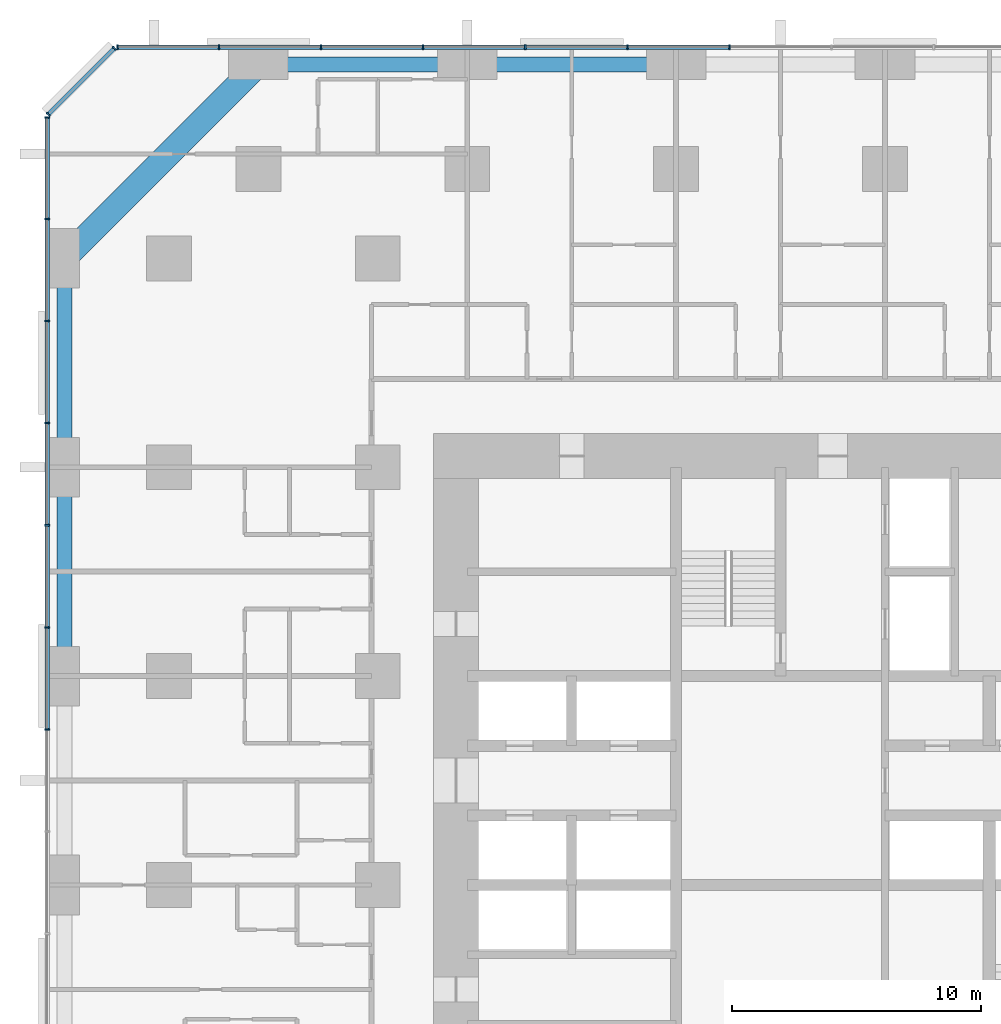
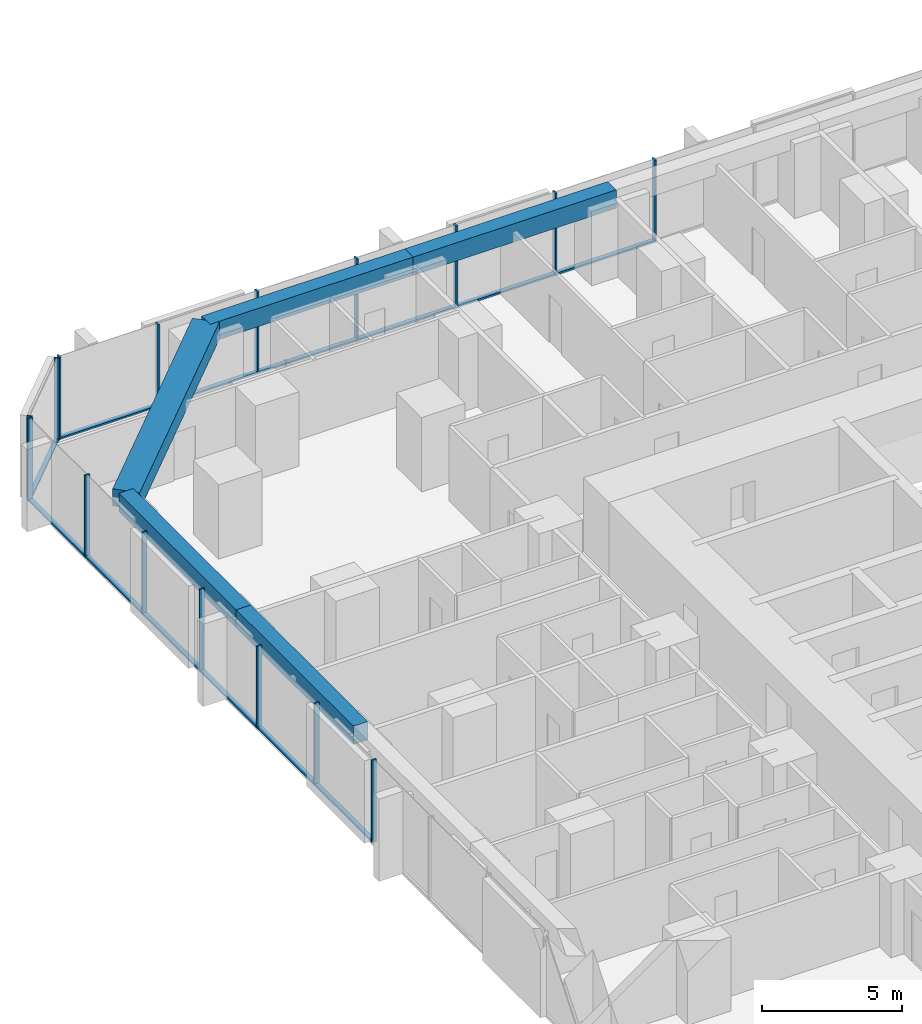
# One storey, part 6 of 17: 29 members, 5 beams, 3 elements without a shape of their own.
"""IFC4 building model written with IfcOpenShell, lengths in metres."""

import ifcopenshell
import ifcopenshell.guid

model = None  # the IFC model being written
_history = None  # IfcOwnerHistory: only IFC2X3 demands one
_inside = {}  # id of a spatial element -> (the spatial element, [elements in it])
_under = {}  # id of a project, library or spatial element -> (it, [spatial elements below it])
_declared = {}  # id of a project -> (the project, [libraries it declares])
_typed = {}  # id of a type object -> (the type object, [elements of that type])
_made_of = {}  # id of a material, layer set ... -> (it, [elements and type objects made of it])


def new_model(schema):
    """Start an empty IFC model of exactly this schema.

    Asked for "IFC4X3", IfcOpenShell would pick the latest addendum, in which some entities
    have other attributes; the version numbers below select the first issue.
    IFC2X3 requires an IfcOwnerHistory on every rooted entity: one is made here for all.
    """
    global model, _history
    if schema == "IFC4X3":
        model = ifcopenshell.file(schema_version=(4, 3, 0, 0))
    else:
        model = ifcopenshell.file(schema=schema)
    _inside.clear()
    _under.clear()
    _declared.clear()
    _typed.clear()
    _made_of.clear()
    _history = None
    if model.schema == "IFC2X3":
        org = make("IfcOrganization", Name="unknown")
        user = make(
            "IfcPersonAndOrganization",
            ThePerson=make("IfcPerson", FamilyName="unknown"),
            TheOrganization=org,
        )
        app = make(
            "IfcApplication",
            ApplicationDeveloper=org,
            Version="unknown",
            ApplicationFullName="unknown",
            ApplicationIdentifier="unknown",
        )
        _history = make(
            "IfcOwnerHistory",
            OwningUser=user,
            OwningApplication=app,
            ChangeAction="ADDED",
            CreationDate=0,
        )
    return model


def make(cls, **values):
    """One entity of the class cls with the attributes given. An attribute that is None is left unset."""
    return model.create_entity(
        cls, **{name: value for name, value in values.items() if value is not None}
    )


def rooted(cls, **values):
    """An entity with a GlobalId (a new one), such as an element, a storey or a relation."""
    return make(cls, GlobalId=ifcopenshell.guid.new(), OwnerHistory=_history, **values)


def si_unit(unit_type, name, prefix=None):
    """IfcSIUnit, for example si_unit("LENGTHUNIT", "METRE", prefix="MILLI")."""
    return make("IfcSIUnit", UnitType=unit_type, Prefix=prefix, Name=name)


def assignment(units):
    """IfcUnitAssignment: the units of a project."""
    return None if units is None else make("IfcUnitAssignment", Units=units)


def point(xyz):
    """IfcCartesianPoint."""
    return None if xyz is None else make("IfcCartesianPoint", Coordinates=xyz)


def direction(xyz):
    """IfcDirection."""
    return None if xyz is None else make("IfcDirection", DirectionRatios=xyz)


def frame(location, z_axis=None, x_axis=None):
    """IfcAxis2Placement3D, a coordinate frame: its origin and axes. An axis left out is left unset."""
    return make(
        "IfcAxis2Placement3D",
        Location=point(location),
        Axis=direction(z_axis),
        RefDirection=direction(x_axis),
    )


def frame_2d(location, x_axis=None):
    """IfcAxis2Placement2D, a coordinate frame in the plane: its origin and x axis."""
    return make(
        "IfcAxis2Placement2D", Location=point(location), RefDirection=direction(x_axis)
    )


def origin():
    """The frame at (0, 0, 0) with its axes left unset."""
    return frame((0.0, 0.0, 0.0))


def origin_2d():
    """The frame at (0, 0) in the plane with its x axis left unset."""
    return frame_2d((0.0, 0.0))


def place(relative_to, where):
    """IfcLocalPlacement: puts the frame where relative to a parent placement (None: the world)."""
    return make(
        "IfcLocalPlacement", PlacementRelTo=relative_to, RelativePlacement=where
    )


def context(
    kind, dimensions, precision=None, world=None, true_north=None, identifier=None
):
    """IfcGeometricRepresentationContext, for example the 3D "Model" context."""
    return make(
        "IfcGeometricRepresentationContext",
        ContextIdentifier=identifier,
        ContextType=kind,
        CoordinateSpaceDimension=dimensions,
        Precision=precision,
        WorldCoordinateSystem=world,
        TrueNorth=true_north,
    )


def subcontext(parent, identifier, kind, view, scale=None):
    """IfcGeometricRepresentationSubContext, for example "Body" below "Model"."""
    return make(
        "IfcGeometricRepresentationSubContext",
        ContextIdentifier=identifier,
        ContextType=kind,
        ParentContext=parent,
        TargetScale=scale,
        TargetView=view,
    )


def project(units=None, contexts=None):
    """IfcProject with its units and contexts."""
    return rooted(
        "IfcProject",
        Name="project",
        RepresentationContexts=contexts,
        UnitsInContext=assignment(units),
    )


def spatial(cls, under=None, at=None, **own):
    """A site, building, storey or space (cls), placed at a placement, below another one or the project."""
    s = rooted(cls, ObjectPlacement=at, **own)
    if under is not None:
        _under.setdefault(under.id(), (under, []))[1].append(s)
    return s


def profile(cls, at=None, kind="AREA", **sizes):
    """A parametric profile (cls). Its sizes go by their IFC names, for example OverallWidth=200.0."""
    return make(cls, ProfileType=kind, Position=at, **sizes)


def rectangle(**sizes):
    """IfcRectangleProfileDef."""
    return profile("IfcRectangleProfileDef", **sizes)


def extrude(swept, where, along, depth):
    """IfcExtrudedAreaSolid: the profile swept, set in the frame where, extruded along a direction by depth."""
    return make(
        "IfcExtrudedAreaSolid",
        SweptArea=swept,
        Position=where,
        ExtrudedDirection=direction(along),
        Depth=depth,
    )


def shape(context_of_items, identifier, shape_type, items):
    """IfcShapeRepresentation: the items that make up one representation, for example the "Body"."""
    return make(
        "IfcShapeRepresentation",
        ContextOfItems=context_of_items,
        RepresentationIdentifier=identifier,
        RepresentationType=shape_type,
        Items=items,
    )


def material(Name=None, Category=None):
    """IfcMaterial."""
    return make("IfcMaterial", Name=Name, Category=Category)


def material_profile(
    of_material, cross_section, Name=None, Category=None, Priority=None
):
    """IfcMaterialProfile: a cross section and its material."""
    return make(
        "IfcMaterialProfile",
        Name=Name,
        Material=of_material,
        Profile=cross_section,
        Priority=Priority,
        Category=Category,
    )


def profile_set(profiles, Name=None, composite=None):
    """IfcMaterialProfileSet."""
    return make(
        "IfcMaterialProfileSet",
        Name=Name,
        MaterialProfiles=profiles,
        CompositeProfile=composite,
    )


def made_of(thing, what):
    """Note that an element or type object is made of a material, layer set ...; save() writes the relation."""
    if what is not None:
        _made_of.setdefault(what.id(), (what, []))[1].append(thing)
    return thing


def type_object(cls, material=None, **own):
    """A type object (cls), such as IfcWallType, which elements share."""
    return made_of(rooted(cls, **own), material)


def element(
    cls,
    number,
    at=None,
    inside=None,
    cuts=None,
    type_object=None,
    material=None,
    context=None,
    identifier="Body",
    shape_type=None,
    held_by="IfcProductDefinitionShape",
    body=None,
    shapes=None,
    **own,
):
    """One element of the class cls, such as IfcWall. Its Tag is "e" and its number.

    at: its placement. inside: the storey or other place that contains it. cuts: it is an
    opening in that element (IfcRelVoidsElement). A single representation is given by context,
    identifier, shape_type and body (its items); several are given by shapes. held_by: the class
    of the entity that holds the representations. save() writes the other relations.
    """
    e = rooted(cls, Tag="e%d" % number, ObjectPlacement=at, **own)
    if body is not None:
        shapes = [shape(context, identifier, shape_type, body)]
    if shapes is not None:
        e.Representation = make(held_by, Representations=shapes)
    if inside is not None:
        _inside.setdefault(inside.id(), (inside, []))[1].append(e)
    if cuts is not None:
        rooted(
            "IfcRelVoidsElement", RelatingBuildingElement=cuts, RelatedOpeningElement=e
        )
    if type_object is not None:
        _typed.setdefault(type_object.id(), (type_object, []))[1].append(e)
    return made_of(e, material)


def aggregate(whole, parts):
    """IfcRelAggregates: a whole, such as a stair, and the parts it consists of."""
    return rooted("IfcRelAggregates", RelatingObject=whole, RelatedObjects=parts)


def save(model, path):
    """Write the relations noted so far, then the file.

    IfcRelAggregates (storeys below a building ...), IfcRelContainedInSpatialStructure (elements
    in a storey), IfcRelDefinesByType, IfcRelAssociatesMaterial and IfcRelDeclares: one each for
    every whole, place, type object, material and project.
    """
    for whole, parts in _under.values():
        aggregate(whole, parts)
    for where, things in _inside.values():
        rooted(
            "IfcRelContainedInSpatialStructure",
            RelatedElements=things,
            RelatingStructure=where,
        )
    for kind, things in _typed.values():
        rooted("IfcRelDefinesByType", RelatedObjects=things, RelatingType=kind)
    for what, things in _made_of.values():
        rooted("IfcRelAssociatesMaterial", RelatedObjects=things, RelatingMaterial=what)
    for by, libraries in _declared.values():
        rooted("IfcRelDeclares", RelatingContext=by, RelatedDefinitions=libraries)
    model.write(path)


model = new_model("IFC4")

# Units and contexts
model_context = context("Model", 3, precision=1e-05, world=origin(), true_north=direction((0.0, 1.0)))
body_context = subcontext(model_context, "Body", "Model", "MODEL_VIEW")
ifc_project = project(units=[si_unit("LENGTHUNIT", "METRE"), si_unit("AREAUNIT", "SQUARE_METRE"), si_unit("VOLUMEUNIT", "CUBIC_METRE"), si_unit("PLANEANGLEUNIT", "RADIAN"), si_unit("MASSUNIT", "GRAM", prefix="KILO")], contexts=[model_context])

# Site, building, storey
site_placement = place(None, origin())
site = spatial("IfcSite", under=ifc_project, at=site_placement, CompositionType="ELEMENT")
building_placement = place(site_placement, origin())
building = spatial("IfcBuilding", under=site, at=building_placement, Name="Dunama Terrace Hotel", CompositionType="ELEMENT")
storey_placement = place(building_placement, frame((0.0, 0.0, 48.60009765625)))
storey = spatial("IfcBuildingStorey", under=building, at=storey_placement, Name="L11", CompositionType="ELEMENT", Elevation=48.60009765625)

# Curtain wall, members
ifc_material_1 = material(Name="Aluminium curtain wall system", Category="aluminium")
curtain_wall_type = type_object("IfcCurtainWallType", Name="Unitised fritted glass wall CW-A", PredefinedType="NOTDEFINED", material=ifc_material_1)
curtain_wall_1_placement = place(storey_placement, origin())
curtain_wall_1 = element("IfcCurtainWall", 1, at=curtain_wall_1_placement, inside=storey, type_object=curtain_wall_type, Name="Unitised fritted glass wall CW-A L11", PredefinedType="NOTDEFINED")
ifc_material_2 = material(Name="Aluminium mullion", Category="aluminium")
ifc_material_profile_1 = material_profile(ifc_material_2, rectangle(XDim=0.06494140625, YDim=0.199951171875, at=origin_2d()), Name="CWA MULLION 65X200")
ifc_profile_set_1 = profile_set([ifc_material_profile_1], Name="Aluminium mullion")
member_type_1 = type_object("IfcMemberType", Name="CWA mullion 65x200", PredefinedType="MULLION", material=ifc_profile_set_1)
member_1_placement = place(storey_placement, frame((27.345947265625, 58.89990234375, 0.0), z_axis=(0.0, 0.0, 1.0), x_axis=(-1.0, 0.0, 0.0)))
member_1 = element("IfcMember", 2, at=member_1_placement, type_object=member_type_1, Name="CWA mullion", PredefinedType="MULLION", context=body_context, shape_type="SweptSolid", body=[
    extrude(rectangle(XDim=0.06494140625, YDim=0.199951171875, at=origin_2d()), origin(), (0.0, 0.0, 1.0), 3.599853515625),
])
member_2_placement = place(storey_placement, frame((23.238037109375, 58.89990234375, 0.0), z_axis=(0.0, 0.0, 1.0), x_axis=(-1.0, 0.0, 0.0)))
member_2 = element("IfcMember", 3, at=member_2_placement, type_object=member_type_1, Name="CWA mullion", PredefinedType="MULLION", context=body_context, shape_type="SweptSolid", body=[
    extrude(rectangle(XDim=0.06494140625, YDim=0.199951171875, at=origin_2d()), origin(), (0.0, 0.0, 1.0), 3.599853515625),
])
member_3_placement = place(storey_placement, frame((19.131103515625, 58.89990234375, 0.0), z_axis=(0.0, 0.0, 1.0), x_axis=(-1.0, 0.0, 0.0)))
member_3 = element("IfcMember", 4, at=member_3_placement, type_object=member_type_1, Name="CWA mullion", PredefinedType="MULLION", context=body_context, shape_type="SweptSolid", body=[
    extrude(rectangle(XDim=0.06494140625, YDim=0.199951171875, at=origin_2d()), origin(), (0.0, 0.0, 1.0), 3.599853515625),
])
member_4_placement = place(storey_placement, frame((15.02294921875, 58.89990234375, 0.0), z_axis=(0.0, 0.0, 1.0), x_axis=(-1.0, 0.0, 0.0)))
member_4 = element("IfcMember", 5, at=member_4_placement, type_object=member_type_1, Name="CWA mullion", PredefinedType="MULLION", context=body_context, shape_type="SweptSolid", body=[
    extrude(rectangle(XDim=0.06494140625, YDim=0.199951171875, at=origin_2d()), origin(), (0.0, 0.0, 1.0), 3.599853515625),
])
member_5_placement = place(storey_placement, frame((10.9150390625, 58.89990234375, 0.0), z_axis=(0.0, 0.0, 1.0), x_axis=(-1.0, 0.0, 0.0)))
member_5 = element("IfcMember", 6, at=member_5_placement, type_object=member_type_1, Name="CWA mullion", PredefinedType="MULLION", context=body_context, shape_type="SweptSolid", body=[
    extrude(rectangle(XDim=0.06494140625, YDim=0.199951171875, at=origin_2d()), origin(), (0.0, 0.0, 1.0), 3.599853515625),
])
member_6_placement = place(storey_placement, frame((6.80810546875, 58.89990234375, 0.0), z_axis=(0.0, 0.0, 1.0), x_axis=(-1.0, 0.0, 0.0)))
member_6 = element("IfcMember", 7, at=member_6_placement, type_object=member_type_1, Name="CWA mullion", PredefinedType="MULLION", context=body_context, shape_type="SweptSolid", body=[
    extrude(rectangle(XDim=0.06494140625, YDim=0.199951171875, at=origin_2d()), origin(), (0.0, 0.0, 1.0), 3.599853515625),
])
member_7_placement = place(storey_placement, frame((2.73291015625, 58.89990234375, 0.0), z_axis=(0.0, 0.0, 1.0), x_axis=(-1.0, 0.0, 0.0)))
member_7 = element("IfcMember", 8, at=member_7_placement, type_object=member_type_1, Name="CWA mullion", PredefinedType="MULLION", context=body_context, shape_type="SweptSolid", body=[
    extrude(rectangle(XDim=0.06494140625, YDim=0.199951171875, at=origin_2d()), origin(), (0.0, 0.0, 1.0), 3.599853515625),
])

curtain_wall_2_placement = place(storey_placement, origin())
curtain_wall_2 = element("IfcCurtainWall", 9, at=curtain_wall_2_placement, inside=storey, type_object=curtain_wall_type, Name="Unitised fritted glass wall CW-A L11", PredefinedType="NOTDEFINED")
member_8_placement = place(storey_placement, frame((2.60595703125, 58.847900390625, 0.0), z_axis=(0.0, 0.0, 1.0), x_axis=(-0.707106781187, -0.707106781187, 0.0)))
member_8 = element("IfcMember", 10, at=member_8_placement, type_object=member_type_1, Name="CWA mullion", PredefinedType="MULLION", context=body_context, shape_type="SweptSolid", body=[
    extrude(rectangle(XDim=0.06494140625, YDim=0.199951171875, at=origin_2d()), origin(), (0.0, 0.0, 1.0), 3.599853515625),
])
member_9_placement = place(storey_placement, frame((-0.048095703125, 56.194091796875, 0.0), z_axis=(0.0, 0.0, 1.0), x_axis=(-0.707106781187, -0.707106781187, 0.0)))
member_9 = element("IfcMember", 11, at=member_9_placement, type_object=member_type_1, Name="CWA mullion", PredefinedType="MULLION", context=body_context, shape_type="SweptSolid", body=[
    extrude(rectangle(XDim=0.06494140625, YDim=0.199951171875, at=origin_2d()), origin(), (0.0, 0.0, 1.0), 3.599853515625),
])

curtain_wall_3_placement = place(storey_placement, origin())
curtain_wall_3 = element("IfcCurtainWall", 12, at=curtain_wall_3_placement, inside=storey, type_object=curtain_wall_type, Name="Unitised fritted glass wall CW-A L11", PredefinedType="NOTDEFINED")
member_10_placement = place(storey_placement, frame((-0.10009765625, 56.06689453125, 0.0), z_axis=(0.0, 0.0, 1.0), x_axis=(0.0, -1.0, 0.0)))
member_10 = element("IfcMember", 13, at=member_10_placement, type_object=member_type_1, Name="CWA mullion", PredefinedType="MULLION", context=body_context, shape_type="SweptSolid", body=[
    extrude(rectangle(XDim=0.06494140625, YDim=0.199951171875, at=origin_2d()), origin(), (0.0, 0.0, 1.0), 3.599853515625),
])
member_11_placement = place(storey_placement, frame((-0.10009765625, 51.991943359375, 0.0), z_axis=(0.0, 0.0, 1.0), x_axis=(0.0, -1.0, 0.0)))
member_11 = element("IfcMember", 14, at=member_11_placement, type_object=member_type_1, Name="CWA mullion", PredefinedType="MULLION", context=body_context, shape_type="SweptSolid", body=[
    extrude(rectangle(XDim=0.06494140625, YDim=0.199951171875, at=origin_2d()), origin(), (0.0, 0.0, 1.0), 3.599853515625),
])
member_12_placement = place(storey_placement, frame((-0.10009765625, 47.885009765625, 0.0), z_axis=(0.0, 0.0, 1.0), x_axis=(0.0, -1.0, 0.0)))
member_12 = element("IfcMember", 15, at=member_12_placement, type_object=member_type_1, Name="CWA mullion", PredefinedType="MULLION", context=body_context, shape_type="SweptSolid", body=[
    extrude(rectangle(XDim=0.06494140625, YDim=0.199951171875, at=origin_2d()), origin(), (0.0, 0.0, 1.0), 3.599853515625),
])
member_13_placement = place(storey_placement, frame((-0.10009765625, 43.777099609375, 0.0), z_axis=(0.0, 0.0, 1.0), x_axis=(0.0, -1.0, 0.0)))
member_13 = element("IfcMember", 16, at=member_13_placement, type_object=member_type_1, Name="CWA mullion", PredefinedType="MULLION", context=body_context, shape_type="SweptSolid", body=[
    extrude(rectangle(XDim=0.06494140625, YDim=0.199951171875, at=origin_2d()), origin(), (0.0, 0.0, 1.0), 3.599853515625),
])
member_14_placement = place(storey_placement, frame((-0.10009765625, 39.6689453125, 0.0), z_axis=(0.0, 0.0, 1.0), x_axis=(0.0, -1.0, 0.0)))
member_14 = element("IfcMember", 17, at=member_14_placement, type_object=member_type_1, Name="CWA mullion", PredefinedType="MULLION", context=body_context, shape_type="SweptSolid", body=[
    extrude(rectangle(XDim=0.06494140625, YDim=0.199951171875, at=origin_2d()), origin(), (0.0, 0.0, 1.0), 3.599853515625),
])
member_15_placement = place(storey_placement, frame((-0.10009765625, 35.56201171875, 0.0), z_axis=(0.0, 0.0, 1.0), x_axis=(0.0, -1.0, 0.0)))
member_15 = element("IfcMember", 18, at=member_15_placement, type_object=member_type_1, Name="CWA mullion", PredefinedType="MULLION", context=body_context, shape_type="SweptSolid", body=[
    extrude(rectangle(XDim=0.06494140625, YDim=0.199951171875, at=origin_2d()), origin(), (0.0, 0.0, 1.0), 3.599853515625),
])
member_16_placement = place(storey_placement, frame((-0.10009765625, 31.4541015625, 0.0), z_axis=(0.0, 0.0, 1.0), x_axis=(0.0, -1.0, 0.0)))
member_16 = element("IfcMember", 19, at=member_16_placement, type_object=member_type_1, Name="CWA mullion", PredefinedType="MULLION", context=body_context, shape_type="SweptSolid", body=[
    extrude(rectangle(XDim=0.06494140625, YDim=0.199951171875, at=origin_2d()), origin(), (0.0, 0.0, 1.0), 3.599853515625),
])

# Member
ifc_material_3 = material(Name="Aluminium transom", Category="aluminium")
ifc_material_profile_2 = material_profile(ifc_material_3, rectangle(XDim=0.179931640625, YDim=0.074951171875, at=origin_2d()), Name="CWA TRANSOM 180X75")
ifc_profile_set_2 = profile_set([ifc_material_profile_2], Name="Aluminium transom")
member_type_2 = type_object("IfcMemberType", Name="CWA transom 180x75", PredefinedType="USERDEFINED", material=ifc_profile_set_2)
member_17_placement = place(storey_placement, frame((27.31396484375, 58.89990234375, 0.037353515625), z_axis=(-1.0, 0.0, 0.0), x_axis=(0.0, -1.0, 0.0)))
member_17 = element("IfcMember", 20, at=member_17_placement, type_object=member_type_2, Name="CWA transom", ObjectType="TRANSOM", PredefinedType="USERDEFINED", context=body_context, shape_type="SweptSolid", body=[
    extrude(rectangle(XDim=0.179931640625, YDim=0.074951171875, at=origin_2d()), origin(), (0.0, 0.0, 1.0), 4.04296875),
])

member_18_placement = place(storey_placement, frame((23.2060546875, 58.89990234375, 0.037353515625), z_axis=(-1.0, 0.0, 0.0), x_axis=(0.0, -1.0, 0.0)))
member_18 = element("IfcMember", 21, at=member_18_placement, type_object=member_type_2, Name="CWA transom", ObjectType="TRANSOM", PredefinedType="USERDEFINED", context=body_context, shape_type="SweptSolid", body=[
    extrude(rectangle(XDim=0.179931640625, YDim=0.074951171875, at=origin_2d()), origin(), (0.0, 0.0, 1.0), 4.04296875),
])

member_19_placement = place(storey_placement, frame((19.097900390625, 58.89990234375, 0.037353515625), z_axis=(-1.0, 0.0, 0.0), x_axis=(0.0, -1.0, 0.0)))
member_19 = element("IfcMember", 22, at=member_19_placement, type_object=member_type_2, Name="CWA transom", ObjectType="TRANSOM", PredefinedType="USERDEFINED", context=body_context, shape_type="SweptSolid", body=[
    extrude(rectangle(XDim=0.179931640625, YDim=0.074951171875, at=origin_2d()), origin(), (0.0, 0.0, 1.0), 4.0419921875),
])

member_20_placement = place(storey_placement, frame((14.990966796875, 58.89990234375, 0.037353515625), z_axis=(-1.0, 0.0, 0.0), x_axis=(0.0, -1.0, 0.0)))
member_20 = element("IfcMember", 23, at=member_20_placement, type_object=member_type_2, Name="CWA transom", ObjectType="TRANSOM", PredefinedType="USERDEFINED", context=body_context, shape_type="SweptSolid", body=[
    extrude(rectangle(XDim=0.179931640625, YDim=0.074951171875, at=origin_2d()), origin(), (0.0, 0.0, 1.0), 4.04296875),
])

member_21_placement = place(storey_placement, frame((10.883056640625, 58.89990234375, 0.037353515625), z_axis=(-1.0, 0.0, 0.0), x_axis=(0.0, -1.0, 0.0)))
member_21 = element("IfcMember", 24, at=member_21_placement, type_object=member_type_2, Name="CWA transom", ObjectType="TRANSOM", PredefinedType="USERDEFINED", context=body_context, shape_type="SweptSolid", body=[
    extrude(rectangle(XDim=0.179931640625, YDim=0.074951171875, at=origin_2d()), origin(), (0.0, 0.0, 1.0), 4.04296875),
])

member_22_placement = place(storey_placement, frame((6.77490234375, 58.89990234375, 0.037353515625), z_axis=(-1.0, 0.0, 0.0), x_axis=(0.0, -1.0, 0.0)))
member_22 = element("IfcMember", 25, at=member_22_placement, type_object=member_type_2, Name="CWA transom", ObjectType="TRANSOM", PredefinedType="USERDEFINED", context=body_context, shape_type="SweptSolid", body=[
    extrude(rectangle(XDim=0.179931640625, YDim=0.074951171875, at=origin_2d()), origin(), (0.0, 0.0, 1.0), 4.010009765625),
])

aggregate(curtain_wall_1, [member_1, member_2, member_3, member_4, member_5, member_6, member_7, member_17, member_18, member_19, member_20, member_21, member_22])

member_23_placement = place(storey_placement, frame((2.5830078125, 58.824951171875, 0.037353515625), z_axis=(-0.707106781187, -0.707106781187, 0.0), x_axis=(0.707106781187, -0.707106781187, 0.0)))
member_23 = element("IfcMember", 26, at=member_23_placement, type_object=member_type_2, Name="CWA transom", ObjectType="TRANSOM", PredefinedType="USERDEFINED", context=body_context, shape_type="SweptSolid", body=[
    extrude(rectangle(XDim=0.179931640625, YDim=0.074951171875, at=origin_2d()), origin(), (0.0, 0.0, 1.0), 3.688232421875),
])

aggregate(curtain_wall_2, [member_8, member_9, member_23])

member_24_placement = place(storey_placement, frame((-0.10009765625, 56.034912109375, 0.037353515625), z_axis=(0.0, -1.0, 0.0), x_axis=(1.0, 0.0, 0.0)))
member_24 = element("IfcMember", 27, at=member_24_placement, type_object=member_type_2, Name="CWA transom", ObjectType="TRANSOM", PredefinedType="USERDEFINED", context=body_context, shape_type="SweptSolid", body=[
    extrude(rectangle(XDim=0.179931640625, YDim=0.074951171875, at=origin_2d()), origin(), (0.0, 0.0, 1.0), 4.010009765625),
])

member_25_placement = place(storey_placement, frame((-0.10009765625, 51.9599609375, 0.037353515625), z_axis=(0.0, -1.0, 0.0), x_axis=(1.0, 0.0, 0.0)))
member_25 = element("IfcMember", 28, at=member_25_placement, type_object=member_type_2, Name="CWA transom", ObjectType="TRANSOM", PredefinedType="USERDEFINED", context=body_context, shape_type="SweptSolid", body=[
    extrude(rectangle(XDim=0.179931640625, YDim=0.074951171875, at=origin_2d()), origin(), (0.0, 0.0, 1.0), 4.04296875),
])

member_26_placement = place(storey_placement, frame((-0.10009765625, 47.85205078125, 0.037353515625), z_axis=(0.0, -1.0, 0.0), x_axis=(1.0, 0.0, 0.0)))
member_26 = element("IfcMember", 29, at=member_26_placement, type_object=member_type_2, Name="CWA transom", ObjectType="TRANSOM", PredefinedType="USERDEFINED", context=body_context, shape_type="SweptSolid", body=[
    extrude(rectangle(XDim=0.179931640625, YDim=0.074951171875, at=origin_2d()), origin(), (0.0, 0.0, 1.0), 4.04296875),
])

member_27_placement = place(storey_placement, frame((-0.10009765625, 43.743896484375, 0.037353515625), z_axis=(0.0, -1.0, 0.0), x_axis=(1.0, 0.0, 0.0)))
member_27 = element("IfcMember", 30, at=member_27_placement, type_object=member_type_2, Name="CWA transom", ObjectType="TRANSOM", PredefinedType="USERDEFINED", context=body_context, shape_type="SweptSolid", body=[
    extrude(rectangle(XDim=0.179931640625, YDim=0.074951171875, at=origin_2d()), origin(), (0.0, 0.0, 1.0), 4.0419921875),
])

member_28_placement = place(storey_placement, frame((-0.10009765625, 39.636962890625, 0.037353515625), z_axis=(0.0, -1.0, 0.0), x_axis=(1.0, 0.0, 0.0)))
member_28 = element("IfcMember", 31, at=member_28_placement, type_object=member_type_2, Name="CWA transom", ObjectType="TRANSOM", PredefinedType="USERDEFINED", context=body_context, shape_type="SweptSolid", body=[
    extrude(rectangle(XDim=0.179931640625, YDim=0.074951171875, at=origin_2d()), origin(), (0.0, 0.0, 1.0), 4.04296875),
])

member_29_placement = place(storey_placement, frame((-0.10009765625, 35.529052734375, 0.037353515625), z_axis=(0.0, -1.0, 0.0), x_axis=(1.0, 0.0, 0.0)))
member_29 = element("IfcMember", 32, at=member_29_placement, type_object=member_type_2, Name="CWA transom", ObjectType="TRANSOM", PredefinedType="USERDEFINED", context=body_context, shape_type="SweptSolid", body=[
    extrude(rectangle(XDim=0.179931640625, YDim=0.074951171875, at=origin_2d()), origin(), (0.0, 0.0, 1.0), 4.04296875),
])

aggregate(curtain_wall_3, [member_10, member_11, member_12, member_13, member_14, member_15, member_16, member_24, member_25, member_26, member_27, member_28, member_29])

# Beams
ifc_material_4 = material(Name="Concrete C50/60", Category="concrete")
ifc_material_profile_3 = material_profile(ifc_material_4, rectangle(XDim=1.0, YDim=0.75, at=origin_2d()), Name="RC 1000x750")
ifc_profile_set_3 = profile_set([ifc_material_profile_3], Name="Concrete C50/60")
beam_type_1 = type_object("IfcBeamType", Name="Edge beam RC 1000x750", PredefinedType="SPANDREL", material=ifc_profile_set_3)
beam_1_placement = place(storey_placement, frame((8.39990234375, 58.199951171875, 3.224853515625), z_axis=(-0.707095714747, -0.707117847453, 0.0), x_axis=(0.707117847453, -0.707095714747, 0.0)))
element("IfcBeam", 33, at=beam_1_placement, inside=storey, type_object=beam_type_1, Name="Corner edge beam under L12", PredefinedType="SPANDREL", context=body_context, shape_type="SweptSolid", body=[
    extrude(rectangle(XDim=1.0, YDim=0.75, at=origin_2d()), origin(), (0.0, 0.0, 1.0), 11.03076171875),
])
ifc_material_5 = material(Name="Concrete C40/50", Category="concrete")
ifc_material_profile_4 = material_profile(ifc_material_5, rectangle(XDim=0.60009765625, YDim=0.800048828125, at=origin_2d()), Name="RC 600x800")
ifc_profile_set_4 = profile_set([ifc_material_profile_4], Name="Concrete C40/50")
beam_type_2 = type_object("IfcBeamType", Name="Edge beam RC 600x800", PredefinedType="SPANDREL", material=ifc_profile_set_4)
for number, where, z_axis, x_axis, name in (
    (34, (0.60009765625, 33.60009765625, 3.199951171875), (0.0, 1.0, 0.0), (-1.0, 0.0, 0.0), "Edge beam under L12"),
    (35, (0.60009765625, 42.0, 3.199951171875), (0.0, 1.0, 0.0), (-1.0, 0.0, 0.0), "Edge beam under L12"),
):
    element("IfcBeam", number, at=place(storey_placement, frame(where, z_axis=z_axis, x_axis=x_axis)), inside=storey, type_object=beam_type_2, Name=name, PredefinedType="SPANDREL", context=body_context, shape_type="SweptSolid", body=[
        extrude(rectangle(XDim=0.60009765625, YDim=0.800048828125, at=origin_2d()), origin(), (0.0, 0.0, 1.0), 8.39990234375),
    ])
beam_2_placement = place(storey_placement, frame((8.39990234375, 58.199951171875, 3.199951171875), z_axis=(1.0, 0.0, 0.0), x_axis=(0.0, 1.0, 0.0)))
element("IfcBeam", 36, at=beam_2_placement, inside=storey, type_object=beam_type_2, Name="Edge beam under L12", PredefinedType="SPANDREL", context=body_context, shape_type="SweptSolid", body=[
    extrude(rectangle(XDim=0.60009765625, YDim=0.800048828125, at=origin_2d()), origin(), (0.0, 0.0, 1.0), 8.400146484375),
])
beam_3_placement = place(storey_placement, frame((16.800048828125, 58.199951171875, 3.199951171875), z_axis=(1.0, 0.0, 0.0), x_axis=(0.0, 1.0, 0.0)))
element("IfcBeam", 37, at=beam_3_placement, inside=storey, type_object=beam_type_2, Name="Edge beam under L12", PredefinedType="SPANDREL", context=body_context, shape_type="SweptSolid", body=[
    extrude(rectangle(XDim=0.60009765625, YDim=0.800048828125, at=origin_2d()), origin(), (0.0, 0.0, 1.0), 8.39990234375),
])

save(model, "model.ifc")
